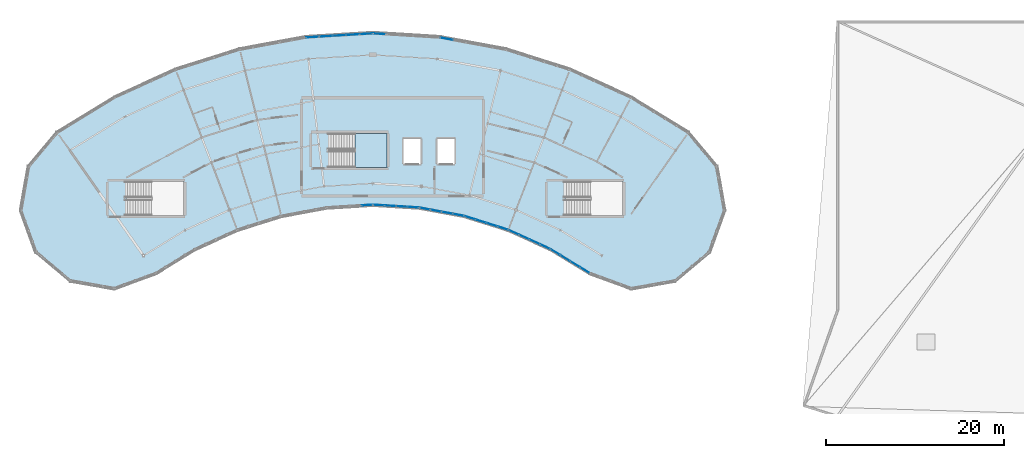
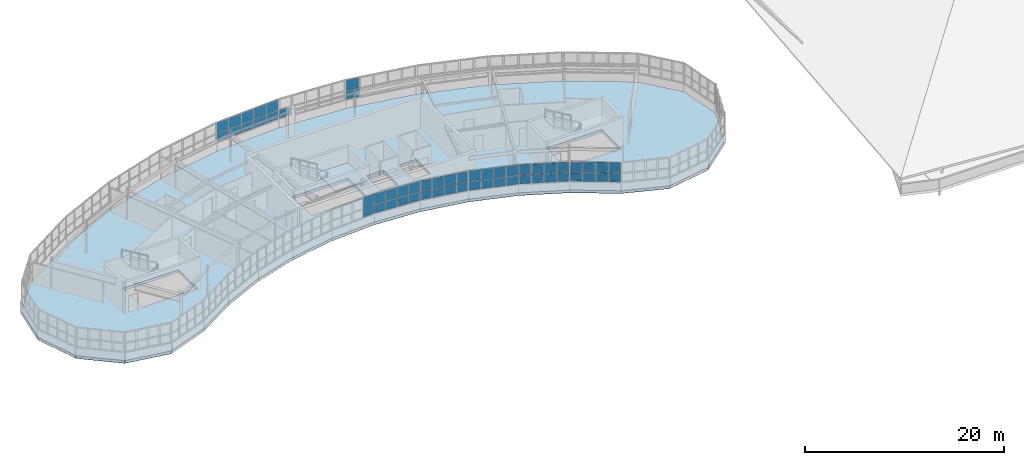
# One storey, part 53 of 79: 55 plates, 2 slabs, 10 elements without a shape of their own.
"""IFC4 building model written with IfcOpenShell, lengths in metres."""

from ifc_helpers import new_model, si_unit, direction, frame, origin, origin_2d, place, context, subcontext, project, spatial, polyline, rectangle, outline, extrude, material, layer, layer_set, type_object, element, aggregate, save


model = new_model("IFC4")

# Units and contexts
model_context = context("Model", 3, precision=1e-05, world=origin(), true_north=direction((0.0, 1.0)))
body_context = subcontext(model_context, "Body", "Model", "MODEL_VIEW")
ifc_project = project(units=[si_unit("LENGTHUNIT", "METRE"), si_unit("AREAUNIT", "SQUARE_METRE"), si_unit("VOLUMEUNIT", "CUBIC_METRE"), si_unit("PLANEANGLEUNIT", "RADIAN"), si_unit("MASSUNIT", "GRAM", prefix="KILO")], contexts=[model_context])

# Site, building, storey
site_placement = place(None, origin())
site = spatial("IfcSite", under=ifc_project, at=site_placement, CompositionType="ELEMENT")
building_placement = place(site_placement, origin())
building = spatial("IfcBuilding", under=site, at=building_placement, Name="Tarnwether General Hospital", CompositionType="ELEMENT")
storey_placement = place(building_placement, frame((0.0, 0.0, 18.300048828125)))
storey = spatial("IfcBuildingStorey", under=building, at=storey_placement, Name="L04", CompositionType="ELEMENT", Elevation=18.300048828125)

# Curtain wall, plates
ifc_material_1 = material(Name="Anodised aluminium", Category="aluminium")
ifc_layer_1 = layer(ifc_material_1, 0.159912109375)
ifc_layer_set_1 = layer_set([ifc_layer_1], Name="Anodised aluminium")
curtain_wall_type_1 = type_object("IfcCurtainWallType", Name="CW-04", PredefinedType="NOTDEFINED", material=ifc_layer_set_1)
curtain_wall_1_placement = place(storey_placement, origin())
curtain_wall_1 = element("IfcCurtainWall", 1, at=curtain_wall_1_placement, inside=storey, type_object=curtain_wall_type_1, Name="Curtain Wall CWG-L04-972_1051-0043", PredefinedType="NOTDEFINED")
ifc_material_2 = material(Name="Double glazed low-E glass", Category="glass")
ifc_layer_2 = layer(ifc_material_2, 0.028076171875)
ifc_layer_set_2 = layer_set([ifc_layer_2], Name="Double glazed low-E glass")
plate_type_1 = type_object("IfcPlateType", Name="PT-CWP1", PredefinedType="CURTAIN_PANEL", material=ifc_layer_set_2)
plate_1_placement = place(storey_placement, frame((96.5048828125, 105.12451171875, 1.114990234375), z_axis=(0.0, 0.0, 1.0), x_axis=(-0.998135119267, 0.06104329354, 0.0)))
plate_1 = element("IfcPlate", 2, at=plate_1_placement, type_object=plate_type_1, Name="CW-04 panel 1.1", PredefinedType="CURTAIN_PANEL", context=body_context, shape_type="SweptSolid", body=[
    extrude(rectangle(XDim=1.19677734375, YDim=0.028076171875, at=origin_2d()), origin(), (0.0, 0.0, 1.0), 1.02294921875),
])
plate_2_placement = place(storey_placement, frame((96.5048828125, 105.12451171875, 2.202880859375), z_axis=(0.0, 0.0, 1.0), x_axis=(-0.998135119267, 0.06104329354, 0.0)))
plate_2 = element("IfcPlate", 3, at=plate_2_placement, type_object=plate_type_1, Name="CW-04 panel 1.2", PredefinedType="CURTAIN_PANEL", context=body_context, shape_type="SweptSolid", body=[
    extrude(rectangle(XDim=1.19677734375, YDim=0.028076171875, at=origin_2d()), origin(), (0.0, 0.0, 1.0), 1.27197265625),
])
plate_3_placement = place(storey_placement, frame((95.2294921875, 105.202392578125, 1.114990234375), z_axis=(0.0, 0.0, 1.0), x_axis=(-0.998135119267, 0.06104329354, 0.0)))
plate_3 = element("IfcPlate", 4, at=plate_3_placement, type_object=plate_type_1, Name="CW-04 panel 2.1", PredefinedType="CURTAIN_PANEL", context=body_context, shape_type="SweptSolid", body=[
    extrude(rectangle(XDim=1.229248046875, YDim=0.028076171875, at=origin_2d()), origin(), (0.0, 0.0, 1.0), 1.02294921875),
])
plate_4_placement = place(storey_placement, frame((95.2294921875, 105.202392578125, 2.202880859375), z_axis=(0.0, 0.0, 1.0), x_axis=(-0.998135119267, 0.06104329354, 0.0)))
plate_4 = element("IfcPlate", 5, at=plate_4_placement, type_object=plate_type_1, Name="CW-04 panel 2.2", PredefinedType="CURTAIN_PANEL", context=body_context, shape_type="SweptSolid", body=[
    extrude(rectangle(XDim=1.229248046875, YDim=0.028076171875, at=origin_2d()), origin(), (0.0, 0.0, 1.0), 1.27197265625),
])
plate_5_placement = place(storey_placement, frame((93.937744140625, 105.281494140625, 1.114990234375), z_axis=(0.0, 0.0, 1.0), x_axis=(-0.998135119267, 0.06104329354, 0.0)))
plate_5 = element("IfcPlate", 6, at=plate_5_placement, type_object=plate_type_1, Name="CW-04 panel 3.1", PredefinedType="CURTAIN_PANEL", context=body_context, shape_type="SweptSolid", body=[
    extrude(rectangle(XDim=1.229248046875, YDim=0.028076171875, at=origin_2d()), origin(), (0.0, 0.0, 1.0), 1.02294921875),
])
plate_6_placement = place(storey_placement, frame((93.937744140625, 105.281494140625, 2.202880859375), z_axis=(0.0, 0.0, 1.0), x_axis=(-0.998135119267, 0.06104329354, 0.0)))
plate_6 = element("IfcPlate", 7, at=plate_6_placement, type_object=plate_type_1, Name="CW-04 panel 3.2", PredefinedType="CURTAIN_PANEL", context=body_context, shape_type="SweptSolid", body=[
    extrude(rectangle(XDim=1.229248046875, YDim=0.028076171875, at=origin_2d()), origin(), (0.0, 0.0, 1.0), 1.27197265625),
])
plate_7_placement = place(storey_placement, frame((92.662109375, 105.359619140625, 1.114990234375), z_axis=(0.0, 0.0, 1.0), x_axis=(-0.998135119267, 0.06104329354, 0.0)))
plate_7 = element("IfcPlate", 8, at=plate_7_placement, type_object=plate_type_1, Name="CW-04 panel 4.1", PredefinedType="CURTAIN_PANEL", context=body_context, shape_type="SweptSolid", body=[
    extrude(rectangle(XDim=1.19677734375, YDim=0.028076171875, at=origin_2d()), origin(), (0.0, 0.0, 1.0), 1.02294921875),
])
plate_8_placement = place(storey_placement, frame((92.662109375, 105.359619140625, 2.202880859375), z_axis=(0.0, 0.0, 1.0), x_axis=(-0.998135119267, 0.06104329354, 0.0)))
plate_8 = element("IfcPlate", 9, at=plate_8_placement, type_object=plate_type_1, Name="CW-04 panel 4.2", PredefinedType="CURTAIN_PANEL", context=body_context, shape_type="SweptSolid", body=[
    extrude(rectangle(XDim=1.19677734375, YDim=0.028076171875, at=origin_2d()), origin(), (0.0, 0.0, 1.0), 1.27197265625),
])
aggregate(curtain_wall_1, [plate_1, plate_2, plate_3, plate_4, plate_5, plate_6, plate_7, plate_8])

curtain_wall_2_placement = place(storey_placement, origin())
curtain_wall_2 = element("IfcCurtainWall", 10, at=curtain_wall_2_placement, inside=storey, type_object=curtain_wall_type_1, Name="Curtain Wall CWG-L04-1023_1041-0044", PredefinedType="NOTDEFINED")
plate_9_placement = place(storey_placement, frame((101.60107421875, 104.262451171875, 1.1298828125), z_axis=(0.0, 0.0, 1.0), x_axis=(-0.983267910924, 0.182165351666, 0.0)))
plate_9 = element("IfcPlate", 11, at=plate_9_placement, type_object=plate_type_1, Name="CW-04 panel 1.1", PredefinedType="CURTAIN_PANEL", context=body_context, shape_type="SweptSolid", body=[
    extrude(rectangle(XDim=1.174072265625, YDim=0.028076171875, at=origin_2d()), origin(), (0.0, 0.0, 1.0), 1.00048828125),
])
plate_10_placement = place(storey_placement, frame((101.60107421875, 104.262451171875, 2.21044921875), z_axis=(0.0, 0.0, 1.0), x_axis=(-0.983267910924, 0.182165351666, 0.0)))
plate_10 = element("IfcPlate", 12, at=plate_10_placement, type_object=plate_type_1, Name="CW-04 panel 1.2", PredefinedType="CURTAIN_PANEL", context=body_context, shape_type="SweptSolid", body=[
    extrude(rectangle(XDim=1.174072265625, YDim=0.028076171875, at=origin_2d()), origin(), (0.0, 0.0, 1.0), 1.24951171875),
])
plate_11_placement = place(storey_placement, frame((100.34814453125, 104.49462890625, 1.1298828125), z_axis=(0.0, 0.0, 1.0), x_axis=(-0.983267910924, 0.182165351666, 0.0)))
plate_11 = element("IfcPlate", 13, at=plate_11_placement, type_object=plate_type_1, Name="CW-04 panel 2.1", PredefinedType="CURTAIN_PANEL", context=body_context, shape_type="SweptSolid", body=[
    extrude(rectangle(XDim=1.214111328125, YDim=0.028076171875, at=origin_2d()), origin(), (0.0, 0.0, 1.0), 1.00048828125),
])
plate_12_placement = place(storey_placement, frame((100.34814453125, 104.49462890625, 2.21044921875), z_axis=(0.0, 0.0, 1.0), x_axis=(-0.983267910924, 0.182165351666, 0.0)))
plate_12 = element("IfcPlate", 14, at=plate_12_placement, type_object=plate_type_1, Name="CW-04 panel 2.2", PredefinedType="CURTAIN_PANEL", context=body_context, shape_type="SweptSolid", body=[
    extrude(rectangle(XDim=1.214111328125, YDim=0.028076171875, at=origin_2d()), origin(), (0.0, 0.0, 1.0), 1.24951171875),
])
plate_13_placement = place(storey_placement, frame((99.07568359375, 104.73046875, 1.1298828125), z_axis=(0.0, 0.0, 1.0), x_axis=(-0.983267910924, 0.182165351666, 0.0)))
plate_13 = element("IfcPlate", 15, at=plate_13_placement, type_object=plate_type_1, Name="CW-04 panel 3.1", PredefinedType="CURTAIN_PANEL", context=body_context, shape_type="SweptSolid", body=[
    extrude(rectangle(XDim=1.214111328125, YDim=0.028076171875, at=origin_2d()), origin(), (0.0, 0.0, 1.0), 1.00048828125),
])
plate_14_placement = place(storey_placement, frame((99.07568359375, 104.73046875, 2.21044921875), z_axis=(0.0, 0.0, 1.0), x_axis=(-0.983267910924, 0.182165351666, 0.0)))
plate_14 = element("IfcPlate", 16, at=plate_14_placement, type_object=plate_type_1, Name="CW-04 panel 3.2", PredefinedType="CURTAIN_PANEL", context=body_context, shape_type="SweptSolid", body=[
    extrude(rectangle(XDim=1.214111328125, YDim=0.028076171875, at=origin_2d()), origin(), (0.0, 0.0, 1.0), 1.24951171875),
])
plate_15_placement = place(storey_placement, frame((97.822998046875, 104.96240234375, 1.1298828125), z_axis=(0.0, 0.0, 1.0), x_axis=(-0.983267910924, 0.182165351666, 0.0)))
plate_15 = element("IfcPlate", 17, at=plate_15_placement, type_object=plate_type_1, Name="CW-04 panel 4.1", PredefinedType="CURTAIN_PANEL", context=body_context, shape_type="SweptSolid", body=[
    extrude(rectangle(XDim=1.174072265625, YDim=0.028076171875, at=origin_2d()), origin(), (0.0, 0.0, 1.0), 1.00048828125),
])
plate_16_placement = place(storey_placement, frame((97.822998046875, 104.96240234375, 2.21044921875), z_axis=(0.0, 0.0, 1.0), x_axis=(-0.983267910924, 0.182165351666, 0.0)))
plate_16 = element("IfcPlate", 18, at=plate_16_placement, type_object=plate_type_1, Name="CW-04 panel 4.2", PredefinedType="CURTAIN_PANEL", context=body_context, shape_type="SweptSolid", body=[
    extrude(rectangle(XDim=1.174072265625, YDim=0.028076171875, at=origin_2d()), origin(), (0.0, 0.0, 1.0), 1.24951171875),
])
aggregate(curtain_wall_2, [plate_9, plate_10, plate_11, plate_12, plate_13, plate_14, plate_15, plate_16])

curtain_wall_3_placement = place(storey_placement, origin())
curtain_wall_3 = element("IfcCurtainWall", 19, at=curtain_wall_3_placement, inside=storey, type_object=curtain_wall_type_1, Name="Curtain Wall CWG-L04-1119_1004-0046", PredefinedType="NOTDEFINED")
plate_17_placement = place(storey_placement, frame((111.30126953125, 100.712646484375, 1.1201171875), z_axis=(0.0, 0.0, 1.0), x_axis=(-0.90995590549, 0.41470501572, 0.0)))
plate_17 = element("IfcPlate", 20, at=plate_17_placement, type_object=plate_type_1, Name="CW-04 panel 1.1", PredefinedType="CURTAIN_PANEL", context=body_context, shape_type="SweptSolid", body=[
    extrude(rectangle(XDim=1.189208984375, YDim=0.028076171875, at=origin_2d()), origin(), (0.0, 0.0, 1.0), 1.015380859375),
])
plate_18_placement = place(storey_placement, frame((111.30126953125, 100.712646484375, 2.20556640625), z_axis=(0.0, 0.0, 1.0), x_axis=(-0.90995590549, 0.41470501572, 0.0)))
plate_18 = element("IfcPlate", 21, at=plate_18_placement, type_object=plate_type_1, Name="CW-04 panel 1.2", PredefinedType="CURTAIN_PANEL", context=body_context, shape_type="SweptSolid", body=[
    extrude(rectangle(XDim=1.189208984375, YDim=0.028076171875, at=origin_2d()), origin(), (0.0, 0.0, 1.0), 1.264404296875),
])
plate_19_placement = place(storey_placement, frame((110.139404296875, 101.2421875, 1.1201171875), z_axis=(0.0, 0.0, 1.0), x_axis=(-0.90995590549, 0.41470501572, 0.0)))
plate_19 = element("IfcPlate", 22, at=plate_19_placement, type_object=plate_type_1, Name="CW-04 panel 2.1", PredefinedType="CURTAIN_PANEL", context=body_context, shape_type="SweptSolid", body=[
    extrude(rectangle(XDim=1.224365234375, YDim=0.028076171875, at=origin_2d()), origin(), (0.0, 0.0, 1.0), 1.015380859375),
])
plate_20_placement = place(storey_placement, frame((110.139404296875, 101.2421875, 2.20556640625), z_axis=(0.0, 0.0, 1.0), x_axis=(-0.90995590549, 0.41470501572, 0.0)))
plate_20 = element("IfcPlate", 23, at=plate_20_placement, type_object=plate_type_1, Name="CW-04 panel 2.2", PredefinedType="CURTAIN_PANEL", context=body_context, shape_type="SweptSolid", body=[
    extrude(rectangle(XDim=1.224365234375, YDim=0.028076171875, at=origin_2d()), origin(), (0.0, 0.0, 1.0), 1.264404296875),
])
plate_21_placement = place(storey_placement, frame((108.961669921875, 101.77880859375, 1.1201171875), z_axis=(0.0, 0.0, 1.0), x_axis=(-0.90995590549, 0.41470501572, 0.0)))
plate_21 = element("IfcPlate", 24, at=plate_21_placement, type_object=plate_type_1, Name="CW-04 panel 3.1", PredefinedType="CURTAIN_PANEL", context=body_context, shape_type="SweptSolid", body=[
    extrude(rectangle(XDim=1.224365234375, YDim=0.028076171875, at=origin_2d()), origin(), (0.0, 0.0, 1.0), 1.015380859375),
])
plate_22_placement = place(storey_placement, frame((108.961669921875, 101.77880859375, 2.20556640625), z_axis=(0.0, 0.0, 1.0), x_axis=(-0.90995590549, 0.41470501572, 0.0)))
plate_22 = element("IfcPlate", 25, at=plate_22_placement, type_object=plate_type_1, Name="CW-04 panel 3.2", PredefinedType="CURTAIN_PANEL", context=body_context, shape_type="SweptSolid", body=[
    extrude(rectangle(XDim=1.224365234375, YDim=0.028076171875, at=origin_2d()), origin(), (0.0, 0.0, 1.0), 1.264404296875),
])
plate_23_placement = place(storey_placement, frame((107.7998046875, 102.308349609375, 1.1201171875), z_axis=(0.0, 0.0, 1.0), x_axis=(-0.90995590549, 0.41470501572, 0.0)))
plate_23 = element("IfcPlate", 26, at=plate_23_placement, type_object=plate_type_1, Name="CW-04 panel 4.1", PredefinedType="CURTAIN_PANEL", context=body_context, shape_type="SweptSolid", body=[
    extrude(rectangle(XDim=1.189208984375, YDim=0.028076171875, at=origin_2d()), origin(), (0.0, 0.0, 1.0), 1.015380859375),
])
plate_24_placement = place(storey_placement, frame((107.7998046875, 102.308349609375, 2.20556640625), z_axis=(0.0, 0.0, 1.0), x_axis=(-0.90995590549, 0.41470501572, 0.0)))
plate_24 = element("IfcPlate", 27, at=plate_24_placement, type_object=plate_type_1, Name="CW-04 panel 4.2", PredefinedType="CURTAIN_PANEL", context=body_context, shape_type="SweptSolid", body=[
    extrude(rectangle(XDim=1.189208984375, YDim=0.028076171875, at=origin_2d()), origin(), (0.0, 0.0, 1.0), 1.264404296875),
])
aggregate(curtain_wall_3, [plate_17, plate_18, plate_19, plate_20, plate_21, plate_22, plate_23, plate_24])

curtain_wall_4_placement = place(storey_placement, origin())
curtain_wall_4 = element("IfcCurtainWall", 28, at=curtain_wall_4_placement, inside=storey, type_object=curtain_wall_type_1, Name="Curtain Wall CWG-L04-1163_977-0047", PredefinedType="NOTDEFINED")
plate_25_placement = place(storey_placement, frame((115.75439453125, 98.07861328125, 1.114990234375), z_axis=(0.0, 0.0, 1.0), x_axis=(-0.852631789198, 0.522512231483, 0.0)))
plate_25 = element("IfcPlate", 29, at=plate_25_placement, type_object=plate_type_1, Name="CW-04 panel 1.1", PredefinedType="CURTAIN_PANEL", context=body_context, shape_type="SweptSolid", body=[
    extrude(rectangle(XDim=1.19677734375, YDim=0.028076171875, at=origin_2d()), origin(), (0.0, 0.0, 1.0), 1.02294921875),
])
plate_26_placement = place(storey_placement, frame((115.75439453125, 98.07861328125, 2.202880859375), z_axis=(0.0, 0.0, 1.0), x_axis=(-0.852631789198, 0.522512231483, 0.0)))
plate_26 = element("IfcPlate", 30, at=plate_26_placement, type_object=plate_type_1, Name="CW-04 panel 1.2", PredefinedType="CURTAIN_PANEL", context=body_context, shape_type="SweptSolid", body=[
    extrude(rectangle(XDim=1.19677734375, YDim=0.028076171875, at=origin_2d()), origin(), (0.0, 0.0, 1.0), 1.27197265625),
])
plate_27_placement = place(storey_placement, frame((114.664794921875, 98.746337890625, 1.114990234375), z_axis=(0.0, 0.0, 1.0), x_axis=(-0.852631789198, 0.522512231483, 0.0)))
plate_27 = element("IfcPlate", 31, at=plate_27_placement, type_object=plate_type_1, Name="CW-04 panel 2.1", PredefinedType="CURTAIN_PANEL", context=body_context, shape_type="SweptSolid", body=[
    extrude(rectangle(XDim=1.229248046875, YDim=0.028076171875, at=origin_2d()), origin(), (0.0, 0.0, 1.0), 1.02294921875),
])
plate_28_placement = place(storey_placement, frame((114.664794921875, 98.746337890625, 2.202880859375), z_axis=(0.0, 0.0, 1.0), x_axis=(-0.852631789198, 0.522512231483, 0.0)))
plate_28 = element("IfcPlate", 32, at=plate_28_placement, type_object=plate_type_1, Name="CW-04 panel 2.2", PredefinedType="CURTAIN_PANEL", context=body_context, shape_type="SweptSolid", body=[
    extrude(rectangle(XDim=1.229248046875, YDim=0.028076171875, at=origin_2d()), origin(), (0.0, 0.0, 1.0), 1.27197265625),
])
plate_29_placement = place(storey_placement, frame((113.561279296875, 99.422607421875, 1.114990234375), z_axis=(0.0, 0.0, 1.0), x_axis=(-0.852631789198, 0.522512231483, 0.0)))
plate_29 = element("IfcPlate", 33, at=plate_29_placement, type_object=plate_type_1, Name="CW-04 panel 3.1", PredefinedType="CURTAIN_PANEL", context=body_context, shape_type="SweptSolid", body=[
    extrude(rectangle(XDim=1.229248046875, YDim=0.028076171875, at=origin_2d()), origin(), (0.0, 0.0, 1.0), 1.02294921875),
])
plate_30_placement = place(storey_placement, frame((113.561279296875, 99.422607421875, 2.202880859375), z_axis=(0.0, 0.0, 1.0), x_axis=(-0.852631789198, 0.522512231483, 0.0)))
plate_30 = element("IfcPlate", 34, at=plate_30_placement, type_object=plate_type_1, Name="CW-04 panel 3.2", PredefinedType="CURTAIN_PANEL", context=body_context, shape_type="SweptSolid", body=[
    extrude(rectangle(XDim=1.229248046875, YDim=0.028076171875, at=origin_2d()), origin(), (0.0, 0.0, 1.0), 1.27197265625),
])
plate_31_placement = place(storey_placement, frame((112.4716796875, 100.09033203125, 1.114990234375), z_axis=(0.0, 0.0, 1.0), x_axis=(-0.852631789198, 0.522512231483, 0.0)))
plate_31 = element("IfcPlate", 35, at=plate_31_placement, type_object=plate_type_1, Name="CW-04 panel 4.1", PredefinedType="CURTAIN_PANEL", context=body_context, shape_type="SweptSolid", body=[
    extrude(rectangle(XDim=1.19677734375, YDim=0.028076171875, at=origin_2d()), origin(), (0.0, 0.0, 1.0), 1.02294921875),
])
plate_32_placement = place(storey_placement, frame((112.4716796875, 100.09033203125, 2.202880859375), z_axis=(0.0, 0.0, 1.0), x_axis=(-0.852631789198, 0.522512231483, 0.0)))
plate_32 = element("IfcPlate", 36, at=plate_32_placement, type_object=plate_type_1, Name="CW-04 panel 4.2", PredefinedType="CURTAIN_PANEL", context=body_context, shape_type="SweptSolid", body=[
    extrude(rectangle(XDim=1.19677734375, YDim=0.028076171875, at=origin_2d()), origin(), (0.0, 0.0, 1.0), 1.27197265625),
])
aggregate(curtain_wall_4, [plate_25, plate_26, plate_27, plate_28, plate_29, plate_30, plate_31, plate_32])

# Curtain wall, plate
ifc_material_3 = material(Name="Anodised aluminium", Category="aluminium")
ifc_layer_3 = layer(ifc_material_3, 0.159912109375)
ifc_layer_set_3 = layer_set([ifc_layer_3], Name="Anodised aluminium")
curtain_wall_type_2 = type_object("IfcCurtainWallType", Name="CW-02", PredefinedType="NOTDEFINED", material=ifc_layer_set_3)
curtain_wall_5_placement = place(storey_placement, origin())
curtain_wall_5 = element("IfcCurtainWall", 37, at=curtain_wall_5_placement, inside=storey, type_object=curtain_wall_type_2, Name="Curtain Wall CWG-L04-920_1246-0058", PredefinedType="NOTDEFINED")
plate_33_placement = place(storey_placement, frame((92.76806640625, 124.552978515625, 1.1201171875), z_axis=(0.0, 0.0, 1.0), x_axis=(0.998135995608, -0.061028962567, 0.0)))
plate_33 = element("IfcPlate", 38, at=plate_33_placement, type_object=plate_type_1, Name="CW-02 panel 1.1", PredefinedType="CURTAIN_PANEL", context=body_context, shape_type="SweptSolid", body=[
    extrude(rectangle(XDim=1.399169921875, YDim=0.028076171875, at=origin_2d()), origin(), (0.0, 0.0, 1.0), 1.015380859375),
])
aggregate(curtain_wall_5, [plate_33])

# Curtain wall, plates
curtain_wall_6_placement = place(storey_placement, origin())
curtain_wall_6 = element("IfcCurtainWall", 39, at=curtain_wall_6_placement, inside=storey, type_object=curtain_wall_type_2, Name="Curtain Wall CWG-L04-845_1241-0059", PredefinedType="NOTDEFINED")
plate_34_placement = place(storey_placement, frame((85.260009765625, 124.18798828125, 1.114990234375), z_axis=(0.0, 0.0, 1.0), x_axis=(0.998135995608, 0.061028962567, 0.0)))
plate_34 = element("IfcPlate", 40, at=plate_34_placement, type_object=plate_type_1, Name="CW-02 panel 1.1", PredefinedType="CURTAIN_PANEL", context=body_context, shape_type="SweptSolid", body=[
    extrude(rectangle(XDim=1.40673828125, YDim=0.028076171875, at=origin_2d()), origin(), (0.0, 0.0, 1.0), 1.02294921875),
])
plate_35_placement = place(storey_placement, frame((85.260009765625, 124.18798828125, 2.202880859375), z_axis=(0.0, 0.0, 1.0), x_axis=(0.998135995608, 0.061028962567, 0.0)))
plate_35 = element("IfcPlate", 41, at=plate_35_placement, type_object=plate_type_1, Name="CW-02 panel 1.2", PredefinedType="CURTAIN_PANEL", context=body_context, shape_type="SweptSolid", body=[
    extrude(rectangle(XDim=1.40673828125, YDim=0.028076171875, at=origin_2d()), origin(), (0.0, 0.0, 1.0), 1.27197265625),
])
plate_36_placement = place(storey_placement, frame((86.7451171875, 124.27880859375, 1.114990234375), z_axis=(0.0, 0.0, 1.0), x_axis=(0.998135995608, 0.061028962567, 0.0)))
plate_36 = element("IfcPlate", 42, at=plate_36_placement, type_object=plate_type_1, Name="CW-02 panel 2.1", PredefinedType="CURTAIN_PANEL", context=body_context, shape_type="SweptSolid", body=[
    extrude(rectangle(XDim=1.439208984375, YDim=0.028076171875, at=origin_2d()), origin(), (0.0, 0.0, 1.0), 1.02294921875),
])
plate_37_placement = place(storey_placement, frame((86.7451171875, 124.27880859375, 2.202880859375), z_axis=(0.0, 0.0, 1.0), x_axis=(0.998135995608, 0.061028962567, 0.0)))
plate_37 = element("IfcPlate", 43, at=plate_37_placement, type_object=plate_type_1, Name="CW-02 panel 2.2", PredefinedType="CURTAIN_PANEL", context=body_context, shape_type="SweptSolid", body=[
    extrude(rectangle(XDim=1.439208984375, YDim=0.028076171875, at=origin_2d()), origin(), (0.0, 0.0, 1.0), 1.27197265625),
])
plate_38_placement = place(storey_placement, frame((88.24658203125, 124.37060546875, 1.114990234375), z_axis=(0.0, 0.0, 1.0), x_axis=(0.998135995608, 0.061028962567, 0.0)))
plate_38 = element("IfcPlate", 44, at=plate_38_placement, type_object=plate_type_1, Name="CW-02 panel 3.1", PredefinedType="CURTAIN_PANEL", context=body_context, shape_type="SweptSolid", body=[
    extrude(rectangle(XDim=1.439208984375, YDim=0.028076171875, at=origin_2d()), origin(), (0.0, 0.0, 1.0), 1.02294921875),
])
plate_39_placement = place(storey_placement, frame((88.24658203125, 124.37060546875, 2.202880859375), z_axis=(0.0, 0.0, 1.0), x_axis=(0.998135995608, 0.061028962567, 0.0)))
plate_39 = element("IfcPlate", 45, at=plate_39_placement, type_object=plate_type_1, Name="CW-02 panel 3.2", PredefinedType="CURTAIN_PANEL", context=body_context, shape_type="SweptSolid", body=[
    extrude(rectangle(XDim=1.439208984375, YDim=0.028076171875, at=origin_2d()), origin(), (0.0, 0.0, 1.0), 1.27197265625),
])
plate_40_placement = place(storey_placement, frame((89.747802734375, 124.46240234375, 1.114990234375), z_axis=(0.0, 0.0, 1.0), x_axis=(0.998135995608, 0.061028962567, 0.0)))
plate_40 = element("IfcPlate", 46, at=plate_40_placement, type_object=plate_type_1, Name="CW-02 panel 4.1", PredefinedType="CURTAIN_PANEL", context=body_context, shape_type="SweptSolid", body=[
    extrude(rectangle(XDim=1.439208984375, YDim=0.028076171875, at=origin_2d()), origin(), (0.0, 0.0, 1.0), 1.02294921875),
])
plate_41_placement = place(storey_placement, frame((89.747802734375, 124.46240234375, 2.202880859375), z_axis=(0.0, 0.0, 1.0), x_axis=(0.998135995608, 0.061028962567, 0.0)))
plate_41 = element("IfcPlate", 47, at=plate_41_placement, type_object=plate_type_1, Name="CW-02 panel 4.2", PredefinedType="CURTAIN_PANEL", context=body_context, shape_type="SweptSolid", body=[
    extrude(rectangle(XDim=1.439208984375, YDim=0.028076171875, at=origin_2d()), origin(), (0.0, 0.0, 1.0), 1.27197265625),
])
plate_42_placement = place(storey_placement, frame((91.233154296875, 124.55322265625, 1.114990234375), z_axis=(0.0, 0.0, 1.0), x_axis=(0.998135995608, 0.061028962567, 0.0)))
plate_42 = element("IfcPlate", 48, at=plate_42_placement, type_object=plate_type_1, Name="CW-02 panel 5.1", PredefinedType="CURTAIN_PANEL", context=body_context, shape_type="SweptSolid", body=[
    extrude(rectangle(XDim=1.40673828125, YDim=0.028076171875, at=origin_2d()), origin(), (0.0, 0.0, 1.0), 1.02294921875),
])
plate_43_placement = place(storey_placement, frame((91.233154296875, 124.55322265625, 2.202880859375), z_axis=(0.0, 0.0, 1.0), x_axis=(0.998135995608, 0.061028962567, 0.0)))
plate_43 = element("IfcPlate", 49, at=plate_43_placement, type_object=plate_type_1, Name="CW-02 panel 5.2", PredefinedType="CURTAIN_PANEL", context=body_context, shape_type="SweptSolid", body=[
    extrude(rectangle(XDim=1.40673828125, YDim=0.028076171875, at=origin_2d()), origin(), (0.0, 0.0, 1.0), 1.27197265625),
])
aggregate(curtain_wall_6, [plate_34, plate_35, plate_36, plate_37, plate_38, plate_39, plate_40, plate_41, plate_42, plate_43])

curtain_wall_7_placement = place(storey_placement, origin())
curtain_wall_7 = element("IfcCurtainWall", 50, at=curtain_wall_7_placement, inside=storey, type_object=curtain_wall_type_1, Name="Curtain Wall CWG-L04-920_1054-0042", PredefinedType="NOTDEFINED")
ifc_material_4 = material(Name="Double glazed low-E glass", Category="glass")
ifc_layer_4 = layer(ifc_material_4, 0.035888671875)
ifc_layer_set_4 = layer_set([ifc_layer_4], Name="Double glazed low-E glass")
plate_type_2 = type_object("IfcPlateType", Name="PT-CWP2", PredefinedType="CURTAIN_PANEL", material=ifc_layer_set_4)
plate_44_placement = place(storey_placement, frame((91.336669921875, 105.359375, 1.1201171875), z_axis=(0.0, 0.0, 1.0), x_axis=(-0.998135119267, -0.06104329354, 0.0)))
plate_44 = element("IfcPlate", 51, at=plate_44_placement, type_object=plate_type_2, Name="CW-04 panel 1.1", PredefinedType="CURTAIN_PANEL", context=body_context, shape_type="SweptSolid", body=[
    extrude(rectangle(XDim=1.189208984375, YDim=0.035888671875, at=origin_2d()), origin(), (0.0, 0.0, 1.0), 1.015380859375),
])
plate_45_placement = place(storey_placement, frame((91.336669921875, 105.359375, 2.20556640625), z_axis=(0.0, 0.0, 1.0), x_axis=(-0.998135119267, -0.06104329354, 0.0)))
plate_45 = element("IfcPlate", 52, at=plate_45_placement, type_object=plate_type_2, Name="CW-04 panel 1.2", PredefinedType="CURTAIN_PANEL", context=body_context, shape_type="SweptSolid", body=[
    extrude(rectangle(XDim=1.189208984375, YDim=0.035888671875, at=origin_2d()), origin(), (0.0, 0.0, 1.0), 1.264404296875),
])
aggregate(curtain_wall_7, [plate_44, plate_45])

curtain_wall_8_placement = place(storey_placement, origin())
curtain_wall_8 = element("IfcCurtainWall", 53, at=curtain_wall_8_placement, inside=storey, type_object=curtain_wall_type_1, Name="Curtain Wall CWG-L04-1072_1026-0045", PredefinedType="NOTDEFINED")
plate_46_placement = place(storey_placement, frame((106.5634765625, 102.783203125, 1.10986328125), z_axis=(0.0, 0.0, 1.0), x_axis=(-0.953713927508, 0.30071538783, 0.0)))
plate_46 = element("IfcPlate", 54, at=plate_46_placement, type_object=plate_type_2, Name="CW-04 panel 1.1", PredefinedType="CURTAIN_PANEL", context=body_context, shape_type="SweptSolid", body=[
    extrude(rectangle(XDim=1.204345703125, YDim=0.035888671875, at=origin_2d()), origin(), (0.0, 0.0, 1.0), 1.030517578125),
])
plate_47_placement = place(storey_placement, frame((106.5634765625, 102.783203125, 2.2001953125), z_axis=(0.0, 0.0, 1.0), x_axis=(-0.953713927508, 0.30071538783, 0.0)))
plate_47 = element("IfcPlate", 55, at=plate_47_placement, type_object=plate_type_2, Name="CW-04 panel 1.2", PredefinedType="CURTAIN_PANEL", context=body_context, shape_type="SweptSolid", body=[
    extrude(rectangle(XDim=1.204345703125, YDim=0.035888671875, at=origin_2d()), origin(), (0.0, 0.0, 1.0), 1.279541015625),
])
plate_48_placement = place(storey_placement, frame((105.34326171875, 103.16796875, 1.10986328125), z_axis=(0.0, 0.0, 1.0), x_axis=(-0.953713927508, 0.30071538783, 0.0)))
plate_48 = element("IfcPlate", 56, at=plate_48_placement, type_object=plate_type_2, Name="CW-04 panel 2.1", PredefinedType="CURTAIN_PANEL", context=body_context, shape_type="SweptSolid", body=[
    extrude(rectangle(XDim=1.234375, YDim=0.035888671875, at=origin_2d()), origin(), (0.0, 0.0, 1.0), 1.030517578125),
])
plate_49_placement = place(storey_placement, frame((105.34326171875, 103.16796875, 2.2001953125), z_axis=(0.0, 0.0, 1.0), x_axis=(-0.953713927508, 0.30071538783, 0.0)))
plate_49 = element("IfcPlate", 57, at=plate_49_placement, type_object=plate_type_2, Name="CW-04 panel 2.2", PredefinedType="CURTAIN_PANEL", context=body_context, shape_type="SweptSolid", body=[
    extrude(rectangle(XDim=1.234375, YDim=0.035888671875, at=origin_2d()), origin(), (0.0, 0.0, 1.0), 1.279541015625),
])
plate_50_placement = place(storey_placement, frame((104.108642578125, 103.55712890625, 1.10986328125), z_axis=(0.0, 0.0, 1.0), x_axis=(-0.953713927508, 0.30071538783, 0.0)))
plate_50 = element("IfcPlate", 58, at=plate_50_placement, type_object=plate_type_2, Name="CW-04 panel 3.1", PredefinedType="CURTAIN_PANEL", context=body_context, shape_type="SweptSolid", body=[
    extrude(rectangle(XDim=1.234375, YDim=0.035888671875, at=origin_2d()), origin(), (0.0, 0.0, 1.0), 1.030517578125),
])
plate_51_placement = place(storey_placement, frame((104.108642578125, 103.55712890625, 2.2001953125), z_axis=(0.0, 0.0, 1.0), x_axis=(-0.953713927508, 0.30071538783, 0.0)))
plate_51 = element("IfcPlate", 59, at=plate_51_placement, type_object=plate_type_2, Name="CW-04 panel 3.2", PredefinedType="CURTAIN_PANEL", context=body_context, shape_type="SweptSolid", body=[
    extrude(rectangle(XDim=1.234375, YDim=0.035888671875, at=origin_2d()), origin(), (0.0, 0.0, 1.0), 1.279541015625),
])
plate_52_placement = place(storey_placement, frame((102.888671875, 103.94189453125, 1.10986328125), z_axis=(0.0, 0.0, 1.0), x_axis=(-0.953713927508, 0.30071538783, 0.0)))
plate_52 = element("IfcPlate", 60, at=plate_52_placement, type_object=plate_type_2, Name="CW-04 panel 4.1", PredefinedType="CURTAIN_PANEL", context=body_context, shape_type="SweptSolid", body=[
    extrude(rectangle(XDim=1.204345703125, YDim=0.035888671875, at=origin_2d()), origin(), (0.0, 0.0, 1.0), 1.030517578125),
])
plate_53_placement = place(storey_placement, frame((102.888671875, 103.94189453125, 2.2001953125), z_axis=(0.0, 0.0, 1.0), x_axis=(-0.953713927508, 0.30071538783, 0.0)))
plate_53 = element("IfcPlate", 61, at=plate_53_placement, type_object=plate_type_2, Name="CW-04 panel 4.2", PredefinedType="CURTAIN_PANEL", context=body_context, shape_type="SweptSolid", body=[
    extrude(rectangle(XDim=1.204345703125, YDim=0.035888671875, at=origin_2d()), origin(), (0.0, 0.0, 1.0), 1.279541015625),
])
aggregate(curtain_wall_8, [plate_46, plate_47, plate_48, plate_49, plate_50, plate_51, plate_52, plate_53])

curtain_wall_9_placement = place(storey_placement, origin())
curtain_wall_9 = element("IfcCurtainWall", 62, at=curtain_wall_9_placement, inside=storey, type_object=curtain_wall_type_2, Name="Curtain Wall CWG-L04-995_1241-0057", PredefinedType="NOTDEFINED")
plate_54_placement = place(storey_placement, frame((100.26123046875, 124.001220703125, 1.10986328125), z_axis=(0.0, 0.0, 1.0), x_axis=(0.983244953132, -0.182289226614, 0.0)))
plate_54 = element("IfcPlate", 63, at=plate_54_placement, type_object=plate_type_2, Name="CW-02 panel 1.1", PredefinedType="CURTAIN_PANEL", context=body_context, shape_type="SweptSolid", body=[
    extrude(rectangle(XDim=1.414306640625, YDim=0.035888671875, at=origin_2d()), origin(), (0.0, 0.0, 1.0), 1.030517578125),
])
plate_55_placement = place(storey_placement, frame((100.26123046875, 124.001220703125, 2.2001953125), z_axis=(0.0, 0.0, 1.0), x_axis=(0.983244953132, -0.182289226614, 0.0)))
plate_55 = element("IfcPlate", 64, at=plate_55_placement, type_object=plate_type_2, Name="CW-02 panel 1.2", PredefinedType="CURTAIN_PANEL", context=body_context, shape_type="SweptSolid", body=[
    extrude(rectangle(XDim=1.414306640625, YDim=0.035888671875, at=origin_2d()), origin(), (0.0, 0.0, 1.0), 1.279541015625),
])
aggregate(curtain_wall_9, [plate_54, plate_55])

# Slab
ifc_material_5 = material(Name="Concrete 40 MPa", Category="concrete")
ifc_layer_5 = layer(ifc_material_5, 0.340087890625)
ifc_layer_set_5 = layer_set([ifc_layer_5], Name="Concrete 40 MPa")
slab_type_1 = type_object("IfcSlabType", Name="SL-FL180", PredefinedType="FLOOR", material=ifc_layer_set_5)
slab_1_placement = place(storey_placement, frame((0.0, 0.0, -0.340087890625)))
element("IfcSlab", 65, at=slab_1_placement, inside=storey, type_object=slab_type_1, Name="L04 North-West Surgical Ward Floor SL-L04-WNW", PredefinedType="FLOOR", context=body_context, shape_type="SweptSolid", body=[
    extrude(outline(polyline([(56.66796875, 113.4599609375), (63.0810546875, 117.389892578125), (69.925048828125, 120.509033203125), (77.097900390625, 122.77001953125), (84.492919921875, 124.14111328125), (92.0, 124.60009765625), (99.507080078125, 124.14111328125), (106.902099609375, 122.77001953125), (114.074951171875, 120.509033203125), (120.9189453125, 117.389892578125), (127.33203125, 113.4599609375), (130.527099609375, 109.653076171875), (131.388916015625, 104.759033203125), (129.68994140625, 100.090087890625), (125.883056640625, 96.89501953125), (120.989013671875, 96.031982421875), (116.320068359375, 97.73193359375), (111.906005859375, 100.43701171875), (107.195068359375, 102.583984375), (102.257080078125, 104.14111328125), (97.1669921875, 105.083984375), (92.0, 105.39990234375), (86.8330078125, 105.083984375), (81.742919921875, 104.14111328125), (76.804931640625, 102.583984375), (72.093994140625, 100.43701171875), (67.679931640625, 97.73193359375), (63.010986328125, 96.031982421875), (58.116943359375, 96.89501953125), (54.31005859375, 100.090087890625), (52.611083984375, 104.759033203125), (53.472900390625, 109.653076171875), (56.66796875, 113.4599609375)]), holes=[polyline([(64.3798828125, 108.0), (64.3798828125, 104.199951171875), (70.800048828125, 104.199951171875), (70.800048828125, 108.0), (64.3798828125, 108.0)]), polyline([(113.580078125, 108.0), (113.580078125, 104.199951171875), (120.0, 104.199951171875), (120.0, 108.0), (113.580078125, 108.0)]), polyline([(95.419921875, 112.830078125), (95.419921875, 109.969970703125), (97.3798828125, 109.969970703125), (97.3798828125, 112.830078125), (95.419921875, 112.830078125)]), polyline([(101.179931640625, 112.830078125), (99.219970703125, 112.830078125), (99.219970703125, 109.969970703125), (101.179931640625, 109.969970703125), (101.179931640625, 112.830078125)]), polyline([(93.60009765625, 113.39990234375), (87.179931640625, 113.39990234375), (87.179931640625, 109.60009765625), (93.60009765625, 109.60009765625), (93.60009765625, 113.39990234375)])]), origin(), (0.0, 0.0, 1.0), 0.340087890625),
])

# Stair, slab
ifc_material_6 = material(Name="Concrete 40 MPa", Category="concrete")
stair_type = type_object("IfcStairType", Name="ST-DL39A", PredefinedType="HALF_TURN_STAIR", material=ifc_material_6)
stair_placement = place(storey_placement, origin())
stair = element("IfcStair", 66, at=stair_placement, inside=storey, type_object=stair_type, Name="L04 Exit Stair ST-01", PredefinedType="HALF_TURN_STAIR")
ifc_material_7 = material(Name="Concrete 40 MPa", Category="concrete")
ifc_layer_6 = layer(ifc_material_7, 0.199951171875)
ifc_layer_set_6 = layer_set([ifc_layer_6], Name="Concrete 40 MPa")
slab_type_2 = type_object("IfcSlabType", Name="SL-LD200", PredefinedType="LANDING", material=ifc_layer_set_6)
slab_2_placement = place(storey_placement, frame((0.0, 0.0, 1.75)))
slab_2 = element("IfcSlab", 67, at=slab_2_placement, type_object=slab_type_2, Name="ST-01 landing 1", PredefinedType="LANDING", context=body_context, shape_type="SweptSolid", body=[
    extrude(outline(polyline([(90.0, 109.60009765625), (93.60009765625, 109.60009765625), (93.60009765625, 113.39990234375), (90.0, 113.39990234375), (90.0, 109.60009765625)])), origin(), (0.0, 0.0, 1.0), 0.199951171875),
])
aggregate(stair, [slab_2])

save(model, "model.ifc")
